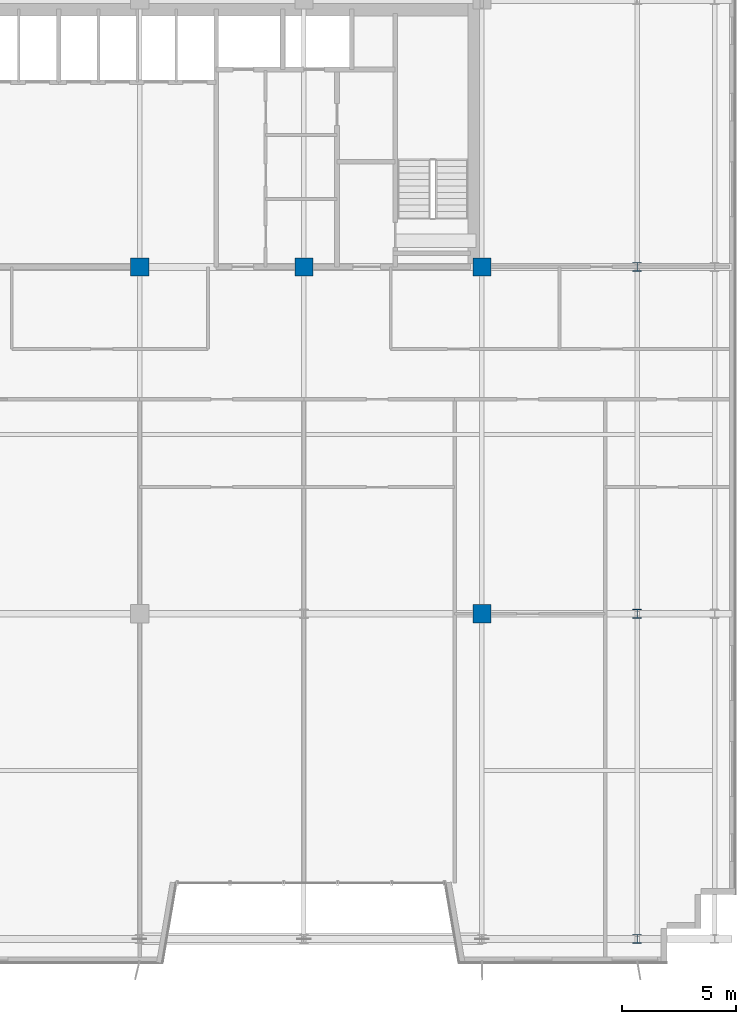
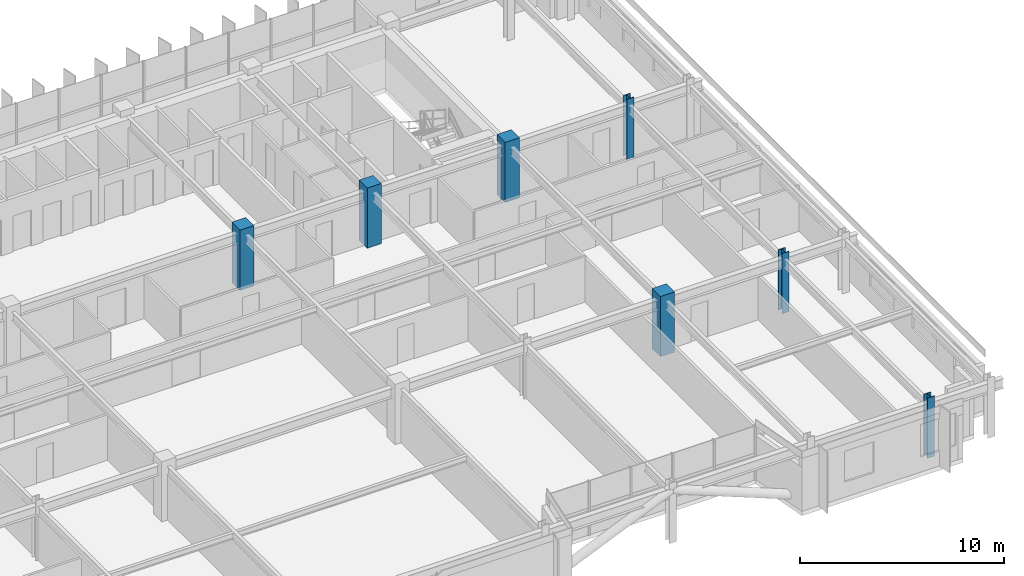
# One storey, part 2 of 26: 7 columns.
"""IFC4 building model written with IfcOpenShell, lengths in metres."""

from ifc_helpers import new_model, si_unit, direction, frame, origin, origin_2d, place, context, subcontext, project, spatial, rectangle, i_section, extrude, source, transform, mapped, material, material_profile, profile_set, type_object, element, save


model = new_model("IFC4")

# Units and contexts
model_context = context("Model", 3, precision=1e-05, world=origin(), true_north=direction((0.0, 1.0)))
body_context = subcontext(model_context, "Body", "Model", "MODEL_VIEW")
ifc_project = project(units=[si_unit("LENGTHUNIT", "METRE"), si_unit("AREAUNIT", "SQUARE_METRE"), si_unit("VOLUMEUNIT", "CUBIC_METRE"), si_unit("PLANEANGLEUNIT", "RADIAN"), si_unit("MASSUNIT", "GRAM", prefix="KILO")], contexts=[model_context])

# Site, building, storey
site_placement = place(None, origin())
site = spatial("IfcSite", under=ifc_project, at=site_placement, CompositionType="ELEMENT")
building_placement = place(site_placement, origin())
building = spatial("IfcBuilding", under=site, at=building_placement, Name="Trelvane Seafront Commons", CompositionType="ELEMENT")
storey_placement = place(building_placement, frame((0.0, 0.0, 128.5)))
storey = spatial("IfcBuildingStorey", under=building, at=storey_placement, Name="L33", CompositionType="ELEMENT", Elevation=128.5)

# Columns
ifc_material_1 = material(Name="Steel SM355 (S355)", Category="steel")
ifc_material_profile_1 = material_profile(ifc_material_1, i_section(OverallWidth=0.39990234375, OverallDepth=0.39990234375, WebThickness=0.02197265625, FlangeThickness=0.034912109375, at=origin_2d()), Name="HD-400x400x22x35")
ifc_profile_set_1 = profile_set([ifc_material_profile_1], Name="Steel SM355 (S355)")
column_type_1 = type_object("IfcColumnType", Name="STR-COL-HD400", PredefinedType="COLUMN", material=ifc_profile_set_1)
shared_shape_1 = source(origin(), body_context, "Body", "SweptSolid", [
    extrude(i_section(OverallWidth=0.39990234375, OverallDepth=0.39990234375, WebThickness=0.02197265625, FlangeThickness=0.034912109375, at=origin_2d()), origin(), (0.0, 0.0, 1.0), 3.60009765625),
])
for number, where, z_axis, x_axis, name in (
    (1, (65.60009765625, 3.949951171875, 0.0), (0.0, 0.0, 1.0), (1.0, 0.0, 0.0), "L33 Column TC-S65.6"),
    (2, (65.60009765625, 18.199951171875, 0.0), (0.0, 0.0, 1.0), (1.0, 0.0, 0.0), "L33 Column TC-M65.6"),
    (3, (65.60009765625, 33.39990234375, 0.0), (0.0, 0.0, 1.0), (1.0, 0.0, 0.0), "L33 Column TC-CS65.6"),
):
    element("IfcColumn", number, at=place(storey_placement, frame(where, z_axis=z_axis, x_axis=x_axis)), inside=storey, type_object=column_type_1, Name=name, PredefinedType="COLUMN", context=body_context, shape_type="MappedRepresentation", body=[
        mapped(shared_shape_1, transform((0.0, 0.0, 0.0), x_axis=(1.0, 0.0, 0.0), y_axis=(0.0, 1.0, 0.0), z_axis=(0.0, 0.0, 1.0), scale=1.0)),
    ])
ifc_material_2 = material(Name="Concrete C60/75", Category="concrete")
ifc_material_profile_2 = material_profile(ifc_material_2, rectangle(XDim=0.800048828125, YDim=0.800048828125, at=origin_2d()), Name="RC-800x800")
ifc_profile_set_2 = profile_set([ifc_material_profile_2], Name="Concrete C60/75")
column_type_2 = type_object("IfcColumnType", Name="STR-COL-RC800", PredefinedType="COLUMN", material=ifc_profile_set_2)
shared_shape_2 = source(origin(), body_context, "Body", "SweptSolid", [
    extrude(rectangle(XDim=0.800048828125, YDim=0.800048828125, at=origin_2d()), origin(), (0.0, 0.0, 1.0), 3.60009765625),
])
for number, where, z_axis, x_axis, name in (
    (4, (43.800048828125, 33.39990234375, 0.0), (0.0, 0.0, 1.0), (1.0, 0.0, 0.0), "L33 Column TC-CS43.8"),
    (5, (51.0, 33.39990234375, 0.0), (0.0, 0.0, 1.0), (1.0, 0.0, 0.0), "L33 Column TC-CS51.0"),
    (6, (58.800048828125, 18.199951171875, 0.0), (0.0, 0.0, 1.0), (1.0, 0.0, 0.0), "L33 Column TC-M58.8"),
    (7, (58.800048828125, 33.39990234375, 0.0), (0.0, 0.0, 1.0), (1.0, 0.0, 0.0), "L33 Column TC-CS58.8"),
):
    element("IfcColumn", number, at=place(storey_placement, frame(where, z_axis=z_axis, x_axis=x_axis)), inside=storey, type_object=column_type_2, Name=name, PredefinedType="COLUMN", context=body_context, shape_type="MappedRepresentation", body=[
        mapped(shared_shape_2, transform((0.0, 0.0, 0.0), x_axis=(1.0, 0.0, 0.0), y_axis=(0.0, 1.0, 0.0), z_axis=(0.0, 0.0, 1.0), scale=1.0)),
    ])

save(model, "model.ifc")
